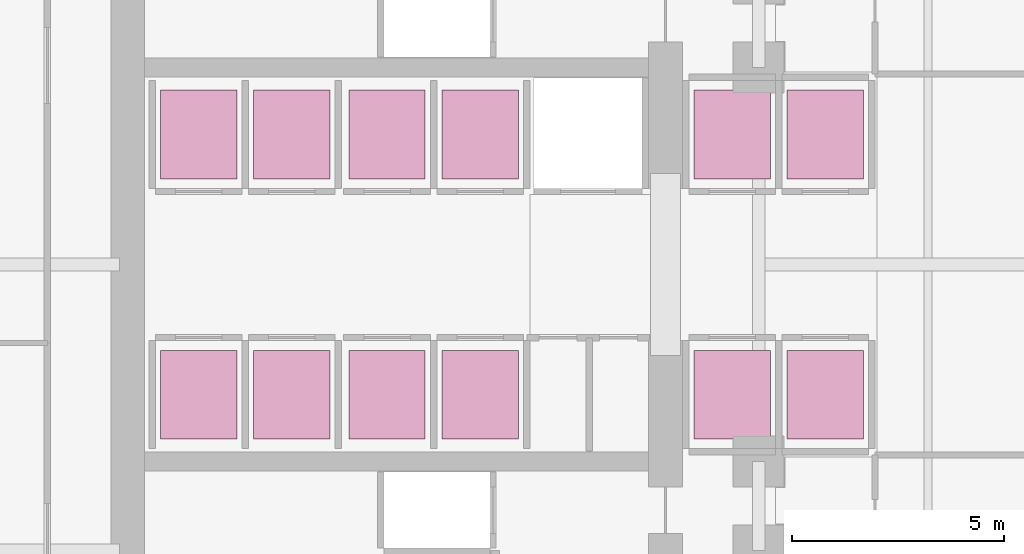
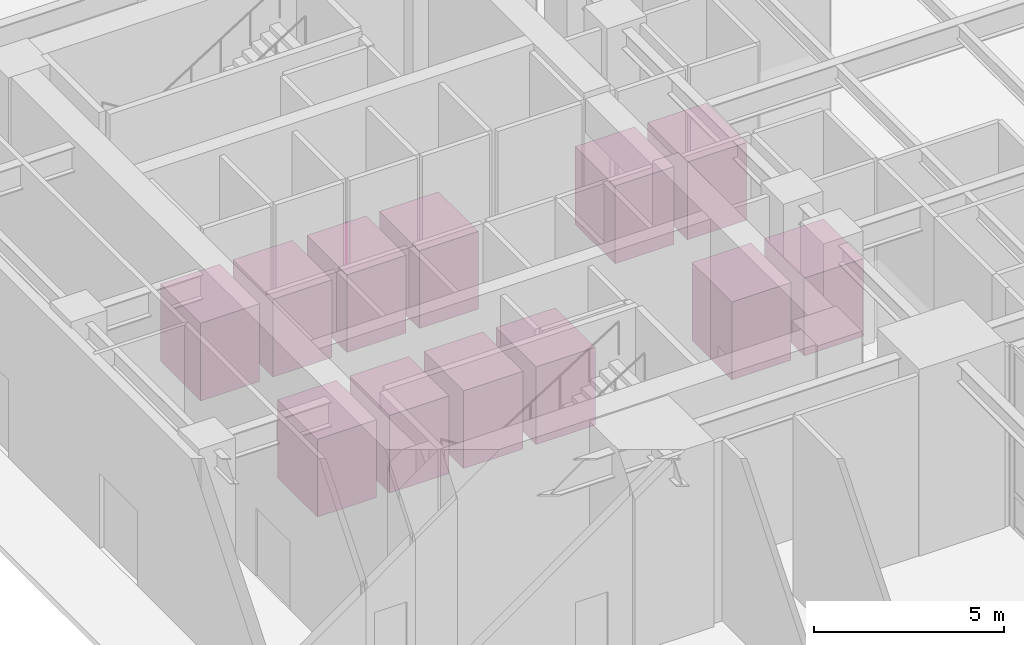
# One storey, part 17 of 17: 12 transport elements.
"""IFC4 building model written with IfcOpenShell, lengths in metres."""

from ifc_helpers import new_model, si_unit, direction, frame, origin, origin_2d, place, context, subcontext, project, spatial, rectangle, extrude, material, type_object, element, save


model = new_model("IFC4")

# Units and contexts
model_context = context("Model", 3, precision=1e-05, world=origin(), true_north=direction((0.0, 1.0)))
body_context = subcontext(model_context, "Body", "Model", "MODEL_VIEW")
ifc_project = project(units=[si_unit("LENGTHUNIT", "METRE"), si_unit("AREAUNIT", "SQUARE_METRE"), si_unit("VOLUMEUNIT", "CUBIC_METRE"), si_unit("PLANEANGLEUNIT", "RADIAN"), si_unit("MASSUNIT", "GRAM", prefix="KILO")], contexts=[model_context])

# Site, building, storey
site_placement = place(None, origin())
site = spatial("IfcSite", under=ifc_project, at=site_placement, CompositionType="ELEMENT")
building_placement = place(site_placement, origin())
building = spatial("IfcBuilding", under=site, at=building_placement, Name="Kinhvarn Gate Tower", CompositionType="ELEMENT")
storey_placement = place(building_placement, origin())
storey = spatial("IfcBuildingStorey", under=building, at=storey_placement, Name="L00", CompositionType="ELEMENT", Elevation=0.0)

# Transport elements
ifc_material = material(Name="Anodised aluminium AW-6063", Category="aluminium")
transport_element_type = type_object("IfcTransportElementType", Name="LFT-PAS-1600", PredefinedType="ELEVATOR", material=ifc_material)
for number, where, z_axis, x_axis, name in (
    (1, (19.175048828125, 22.175048828125, 0.0), (0.0, 0.0, 1.0), (1.0, 0.0, 0.0), "Low-Rise Passenger Lift PL-01 (PL-01)"),
    (2, (21.375, 22.175048828125, 0.0), (0.0, 0.0, 1.0), (1.0, 0.0, 0.0), "Low-Rise Passenger Lift PL-02 (PL-02)"),
    (3, (19.175048828125, 28.324951171875, 0.0), (0.0, 0.0, 1.0), (1.0, 0.0, 0.0), "Low-Rise Passenger Lift PL-03 (PL-03)"),
    (4, (21.375, 28.324951171875, 0.0), (0.0, 0.0, 1.0), (1.0, 0.0, 0.0), "Low-Rise Passenger Lift PL-04 (PL-04)"),
    (5, (6.574951171875, 22.175048828125, 0.0), (0.0, 0.0, 1.0), (1.0, 0.0, 0.0), "Mid-Rise Passenger Lift PM-05 (PM-05)"),
    (6, (8.77490234375, 22.175048828125, 0.0), (0.0, 0.0, 1.0), (1.0, 0.0, 0.0), "Mid-Rise Passenger Lift PM-06 (PM-06)"),
    (7, (6.574951171875, 28.324951171875, 0.0), (0.0, 0.0, 1.0), (1.0, 0.0, 0.0), "Mid-Rise Passenger Lift PM-07 (PM-07)"),
    (8, (8.77490234375, 28.324951171875, 0.0), (0.0, 0.0, 1.0), (1.0, 0.0, 0.0), "Mid-Rise Passenger Lift PM-08 (PM-08)"),
    (9, (11.02490234375, 22.175048828125, 0.0), (0.0, 0.0, 1.0), (1.0, 0.0, 0.0), "High-Rise Passenger Lift PH-09 (PH-09)"),
    (10, (13.22509765625, 22.175048828125, 0.0), (0.0, 0.0, 1.0), (1.0, 0.0, 0.0), "High-Rise Passenger Lift PH-10 (PH-10)"),
    (11, (11.02490234375, 28.324951171875, 0.0), (0.0, 0.0, 1.0), (1.0, 0.0, 0.0), "High-Rise Passenger Lift PH-11 (PH-11)"),
    (12, (13.22509765625, 28.324951171875, 0.0), (0.0, 0.0, 1.0), (1.0, 0.0, 0.0), "High-Rise Passenger Lift PH-12 (PH-12)"),
):
    element("IfcTransportElement", number, at=place(storey_placement, frame(where, z_axis=z_axis, x_axis=x_axis)), inside=storey, type_object=transport_element_type, Name=name, PredefinedType="ELEVATOR", context=body_context, shape_type="SweptSolid", body=[
        extrude(rectangle(XDim=1.800048828125, YDim=2.10009765625, at=origin_2d()), origin(), (0.0, 0.0, 1.0), 2.5),
    ])

save(model, "model.ifc")
